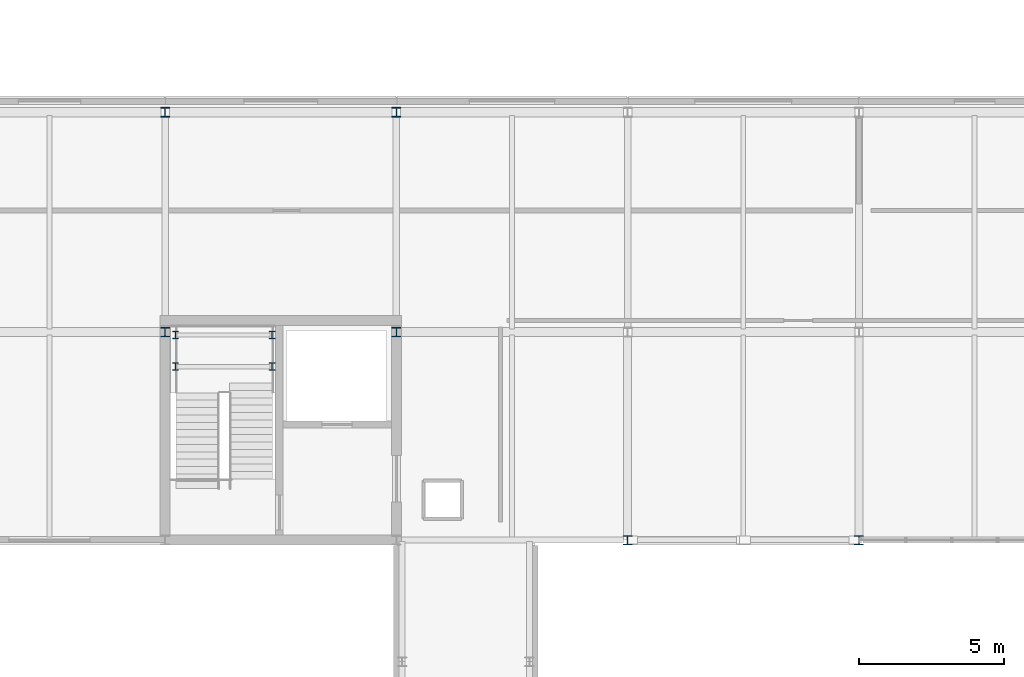
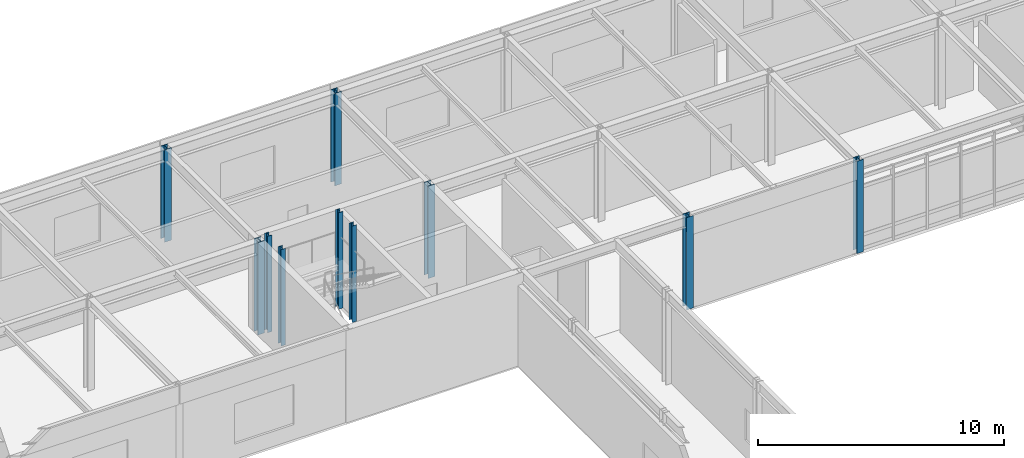
# One storey, part 6 of 104: 10 columns.
"""IFC4 building model written with IfcOpenShell, lengths in metres."""

import ifcopenshell
import ifcopenshell.guid

model = None  # the IFC model being written
_history = None  # IfcOwnerHistory: only IFC2X3 demands one
_inside = {}  # id of a spatial element -> (the spatial element, [elements in it])
_under = {}  # id of a project, library or spatial element -> (it, [spatial elements below it])
_declared = {}  # id of a project -> (the project, [libraries it declares])
_typed = {}  # id of a type object -> (the type object, [elements of that type])
_made_of = {}  # id of a material, layer set ... -> (it, [elements and type objects made of it])


def new_model(schema):
    """Start an empty IFC model of exactly this schema.

    Asked for "IFC4X3", IfcOpenShell would pick the latest addendum, in which some entities
    have other attributes; the version numbers below select the first issue.
    IFC2X3 requires an IfcOwnerHistory on every rooted entity: one is made here for all.
    """
    global model, _history
    if schema == "IFC4X3":
        model = ifcopenshell.file(schema_version=(4, 3, 0, 0))
    else:
        model = ifcopenshell.file(schema=schema)
    _inside.clear()
    _under.clear()
    _declared.clear()
    _typed.clear()
    _made_of.clear()
    _history = None
    if model.schema == "IFC2X3":
        org = make("IfcOrganization", Name="unknown")
        user = make(
            "IfcPersonAndOrganization",
            ThePerson=make("IfcPerson", FamilyName="unknown"),
            TheOrganization=org,
        )
        app = make(
            "IfcApplication",
            ApplicationDeveloper=org,
            Version="unknown",
            ApplicationFullName="unknown",
            ApplicationIdentifier="unknown",
        )
        _history = make(
            "IfcOwnerHistory",
            OwningUser=user,
            OwningApplication=app,
            ChangeAction="ADDED",
            CreationDate=0,
        )
    return model


def make(cls, **values):
    """One entity of the class cls with the attributes given. An attribute that is None is left unset."""
    return model.create_entity(
        cls, **{name: value for name, value in values.items() if value is not None}
    )


def rooted(cls, **values):
    """An entity with a GlobalId (a new one), such as an element, a storey or a relation."""
    return make(cls, GlobalId=ifcopenshell.guid.new(), OwnerHistory=_history, **values)


def si_unit(unit_type, name, prefix=None):
    """IfcSIUnit, for example si_unit("LENGTHUNIT", "METRE", prefix="MILLI")."""
    return make("IfcSIUnit", UnitType=unit_type, Prefix=prefix, Name=name)


def assignment(units):
    """IfcUnitAssignment: the units of a project."""
    return None if units is None else make("IfcUnitAssignment", Units=units)


def point(xyz):
    """IfcCartesianPoint."""
    return None if xyz is None else make("IfcCartesianPoint", Coordinates=xyz)


def direction(xyz):
    """IfcDirection."""
    return None if xyz is None else make("IfcDirection", DirectionRatios=xyz)


def frame(location, z_axis=None, x_axis=None):
    """IfcAxis2Placement3D, a coordinate frame: its origin and axes. An axis left out is left unset."""
    return make(
        "IfcAxis2Placement3D",
        Location=point(location),
        Axis=direction(z_axis),
        RefDirection=direction(x_axis),
    )


def frame_2d(location, x_axis=None):
    """IfcAxis2Placement2D, a coordinate frame in the plane: its origin and x axis."""
    return make(
        "IfcAxis2Placement2D", Location=point(location), RefDirection=direction(x_axis)
    )


def origin():
    """The frame at (0, 0, 0) with its axes left unset."""
    return frame((0.0, 0.0, 0.0))


def origin_2d():
    """The frame at (0, 0) in the plane with its x axis left unset."""
    return frame_2d((0.0, 0.0))


def place(relative_to, where):
    """IfcLocalPlacement: puts the frame where relative to a parent placement (None: the world)."""
    return make(
        "IfcLocalPlacement", PlacementRelTo=relative_to, RelativePlacement=where
    )


def context(
    kind, dimensions, precision=None, world=None, true_north=None, identifier=None
):
    """IfcGeometricRepresentationContext, for example the 3D "Model" context."""
    return make(
        "IfcGeometricRepresentationContext",
        ContextIdentifier=identifier,
        ContextType=kind,
        CoordinateSpaceDimension=dimensions,
        Precision=precision,
        WorldCoordinateSystem=world,
        TrueNorth=true_north,
    )


def subcontext(parent, identifier, kind, view, scale=None):
    """IfcGeometricRepresentationSubContext, for example "Body" below "Model"."""
    return make(
        "IfcGeometricRepresentationSubContext",
        ContextIdentifier=identifier,
        ContextType=kind,
        ParentContext=parent,
        TargetScale=scale,
        TargetView=view,
    )


def project(units=None, contexts=None):
    """IfcProject with its units and contexts."""
    return rooted(
        "IfcProject",
        Name="project",
        RepresentationContexts=contexts,
        UnitsInContext=assignment(units),
    )


def spatial(cls, under=None, at=None, **own):
    """A site, building, storey or space (cls), placed at a placement, below another one or the project."""
    s = rooted(cls, ObjectPlacement=at, **own)
    if under is not None:
        _under.setdefault(under.id(), (under, []))[1].append(s)
    return s


def profile(cls, at=None, kind="AREA", **sizes):
    """A parametric profile (cls). Its sizes go by their IFC names, for example OverallWidth=200.0."""
    return make(cls, ProfileType=kind, Position=at, **sizes)


def i_section(**sizes):
    """IfcIShapeProfileDef."""
    return profile("IfcIShapeProfileDef", **sizes)


def extrude(swept, where, along, depth):
    """IfcExtrudedAreaSolid: the profile swept, set in the frame where, extruded along a direction by depth."""
    return make(
        "IfcExtrudedAreaSolid",
        SweptArea=swept,
        Position=where,
        ExtrudedDirection=direction(along),
        Depth=depth,
    )


def shape(context_of_items, identifier, shape_type, items):
    """IfcShapeRepresentation: the items that make up one representation, for example the "Body"."""
    return make(
        "IfcShapeRepresentation",
        ContextOfItems=context_of_items,
        RepresentationIdentifier=identifier,
        RepresentationType=shape_type,
        Items=items,
    )


def material(Name=None, Category=None):
    """IfcMaterial."""
    return make("IfcMaterial", Name=Name, Category=Category)


def material_profile(
    of_material, cross_section, Name=None, Category=None, Priority=None
):
    """IfcMaterialProfile: a cross section and its material."""
    return make(
        "IfcMaterialProfile",
        Name=Name,
        Material=of_material,
        Profile=cross_section,
        Priority=Priority,
        Category=Category,
    )


def profile_set(profiles, Name=None, composite=None):
    """IfcMaterialProfileSet."""
    return make(
        "IfcMaterialProfileSet",
        Name=Name,
        MaterialProfiles=profiles,
        CompositeProfile=composite,
    )


def made_of(thing, what):
    """Note that an element or type object is made of a material, layer set ...; save() writes the relation."""
    if what is not None:
        _made_of.setdefault(what.id(), (what, []))[1].append(thing)
    return thing


def type_object(cls, material=None, **own):
    """A type object (cls), such as IfcWallType, which elements share."""
    return made_of(rooted(cls, **own), material)


def element(
    cls,
    number,
    at=None,
    inside=None,
    cuts=None,
    type_object=None,
    material=None,
    context=None,
    identifier="Body",
    shape_type=None,
    held_by="IfcProductDefinitionShape",
    body=None,
    shapes=None,
    **own,
):
    """One element of the class cls, such as IfcWall. Its Tag is "e" and its number.

    at: its placement. inside: the storey or other place that contains it. cuts: it is an
    opening in that element (IfcRelVoidsElement). A single representation is given by context,
    identifier, shape_type and body (its items); several are given by shapes. held_by: the class
    of the entity that holds the representations. save() writes the other relations.
    """
    e = rooted(cls, Tag="e%d" % number, ObjectPlacement=at, **own)
    if body is not None:
        shapes = [shape(context, identifier, shape_type, body)]
    if shapes is not None:
        e.Representation = make(held_by, Representations=shapes)
    if inside is not None:
        _inside.setdefault(inside.id(), (inside, []))[1].append(e)
    if cuts is not None:
        rooted(
            "IfcRelVoidsElement", RelatingBuildingElement=cuts, RelatedOpeningElement=e
        )
    if type_object is not None:
        _typed.setdefault(type_object.id(), (type_object, []))[1].append(e)
    return made_of(e, material)


def aggregate(whole, parts):
    """IfcRelAggregates: a whole, such as a stair, and the parts it consists of."""
    return rooted("IfcRelAggregates", RelatingObject=whole, RelatedObjects=parts)


def save(model, path):
    """Write the relations noted so far, then the file.

    IfcRelAggregates (storeys below a building ...), IfcRelContainedInSpatialStructure (elements
    in a storey), IfcRelDefinesByType, IfcRelAssociatesMaterial and IfcRelDeclares: one each for
    every whole, place, type object, material and project.
    """
    for whole, parts in _under.values():
        aggregate(whole, parts)
    for where, things in _inside.values():
        rooted(
            "IfcRelContainedInSpatialStructure",
            RelatedElements=things,
            RelatingStructure=where,
        )
    for kind, things in _typed.values():
        rooted("IfcRelDefinesByType", RelatedObjects=things, RelatingType=kind)
    for what, things in _made_of.values():
        rooted("IfcRelAssociatesMaterial", RelatedObjects=things, RelatingMaterial=what)
    for by, libraries in _declared.values():
        rooted("IfcRelDeclares", RelatingContext=by, RelatedDefinitions=libraries)
    model.write(path)


model = new_model("IFC4")

# Units and contexts
model_context = context("Model", 3, precision=1e-05, world=origin(), true_north=direction((0.0, 1.0)))
body_context = subcontext(model_context, "Body", "Model", "MODEL_VIEW")
ifc_project = project(units=[si_unit("LENGTHUNIT", "METRE"), si_unit("AREAUNIT", "SQUARE_METRE"), si_unit("VOLUMEUNIT", "CUBIC_METRE"), si_unit("PLANEANGLEUNIT", "RADIAN"), si_unit("MASSUNIT", "GRAM", prefix="KILO")], contexts=[model_context])

# Site, building, storey
site_placement = place(None, origin())
site = spatial("IfcSite", under=ifc_project, at=site_placement, CompositionType="ELEMENT")
building_placement = place(site_placement, origin())
building = spatial("IfcBuilding", under=site, at=building_placement, Name="Zulena Civic Courthouse", CompositionType="ELEMENT")
storey_placement = place(building_placement, frame((0.0, 0.0, 15.60009765625)))
storey = spatial("IfcBuildingStorey", under=building, at=storey_placement, Name="L03", CompositionType="ELEMENT", Elevation=15.60009765625)

# Columns
ifc_material = material(Name="Steel ASTM A992 Grade 50", Category="steel")
ifc_material_profile_1 = material_profile(ifc_material, i_section(OverallWidth=0.2041015625, OverallDepth=0.257080078125, WebThickness=0.0087890625, FlangeThickness=0.015625, FilletRadius=0.0126953125, at=origin_2d()), Name="W10X45")
ifc_profile_set_1 = profile_set([ifc_material_profile_1], Name="Steel ASTM A992 Grade 50")
column_type_1 = type_object("IfcColumnType", Name="Col_W10X45", PredefinedType="COLUMN", material=ifc_profile_set_1)
for number, where, z_axis, x_axis, name in (
    (1, (20.360107421875, 52.0, 0.0), (0.0, 0.0, 1.0), (1.0, 0.0, 0.0), "col:lnd:K5A:L03:0:0"),
    (2, (23.699951171875, 52.0, 0.0), (0.0, 0.0, 1.0), (1.0, 0.0, 0.0), "col:lnd:K5A:L03:0:1"),
    (3, (20.360107421875, 53.10009765625, 0.0), (0.0, 0.0, 1.0), (1.0, 0.0, 0.0), "col:lnd:K5A:L03:1:0"),
    (4, (23.699951171875, 53.10009765625, 0.0), (0.0, 0.0, 1.0), (1.0, 0.0, 0.0), "col:lnd:K5A:L03:1:1"),
):
    element("IfcColumn", number, at=place(storey_placement, frame(where, z_axis=z_axis, x_axis=x_axis)), inside=storey, type_object=column_type_1, Name=name, PredefinedType="COLUMN", context=body_context, shape_type="SweptSolid", body=[
        extrude(i_section(OverallWidth=0.2041015625, OverallDepth=0.257080078125, WebThickness=0.0087890625, FlangeThickness=0.015625, FilletRadius=0.0126953125, at=origin_2d()), origin(), (0.0, 0.0, 1.0), 4.794921875),
    ])
ifc_material_profile_2 = material_profile(ifc_material, i_section(OverallWidth=0.31298828125, OverallDepth=0.3330078125, WebThickness=0.01806640625, FlangeThickness=0.0283203125, FilletRadius=0.01513671875, at=origin_2d()), Name="W12X120")
ifc_profile_set_2 = profile_set([ifc_material_profile_2], Name="Steel ASTM A992 Grade 50")
column_type_2 = type_object("IfcColumnType", Name="Col_W12X120", PredefinedType="COLUMN", material=ifc_profile_set_2)
for number, where, z_axis, x_axis, name in (
    (5, (20.0, 53.199951171875, 0.0), (0.0, 0.0, 1.0), (1.0, 0.0, 0.0), "col:V5:L03:20.0:53.2"),
    (6, (20.0, 60.800048828125, 0.0), (0.0, 0.0, 1.0), (1.0, 0.0, 0.0), "col:V5:L03:20.0:60.8"),
    (7, (28.0, 53.199951171875, 0.0), (0.0, 0.0, 1.0), (1.0, 0.0, 0.0), "col:V5:L03:28.0:53.2"),
    (8, (28.0, 60.800048828125, 0.0), (0.0, 0.0, 1.0), (1.0, 0.0, 0.0), "col:V5:L03:28.0:60.8"),
):
    element("IfcColumn", number, at=place(storey_placement, frame(where, z_axis=z_axis, x_axis=x_axis)), inside=storey, type_object=column_type_2, Name=name, PredefinedType="COLUMN", context=body_context, shape_type="SweptSolid", body=[
        extrude(i_section(OverallWidth=0.31298828125, OverallDepth=0.3330078125, WebThickness=0.01806640625, FlangeThickness=0.0283203125, FilletRadius=0.01513671875, at=origin_2d()), origin(), (0.0, 0.0, 1.0), 4.58984375),
    ])
ifc_material_profile_3 = material_profile(ifc_material, i_section(OverallWidth=0.30908203125, OverallDepth=0.322998046875, WebThickness=0.013916015625, FlangeThickness=0.02294921875, FilletRadius=0.01513671875, at=origin_2d()), Name="W12X96")
ifc_profile_set_3 = profile_set([ifc_material_profile_3], Name="Steel ASTM A992 Grade 50")
column_type_3 = type_object("IfcColumnType", Name="Col_W12X96", PredefinedType="COLUMN", material=ifc_profile_set_3)
for number, where, z_axis, x_axis, name in (
    (9, (36.0, 46.0, 0.0), (0.0, 0.0, 1.0), (1.0, 0.0, 0.0), "col:V5:L03:36.0:46.0"),
    (10, (44.0, 46.0, 0.0), (0.0, 0.0, 1.0), (1.0, 0.0, 0.0), "col:V5:L03:44.0:46.0"),
):
    element("IfcColumn", number, at=place(storey_placement, frame(where, z_axis=z_axis, x_axis=x_axis)), inside=storey, type_object=column_type_3, Name=name, PredefinedType="COLUMN", context=body_context, shape_type="SweptSolid", body=[
        extrude(i_section(OverallWidth=0.30908203125, OverallDepth=0.322998046875, WebThickness=0.013916015625, FlangeThickness=0.02294921875, FilletRadius=0.01513671875, at=origin_2d()), origin(), (0.0, 0.0, 1.0), 4.58984375),
    ])

save(model, "model.ifc")
